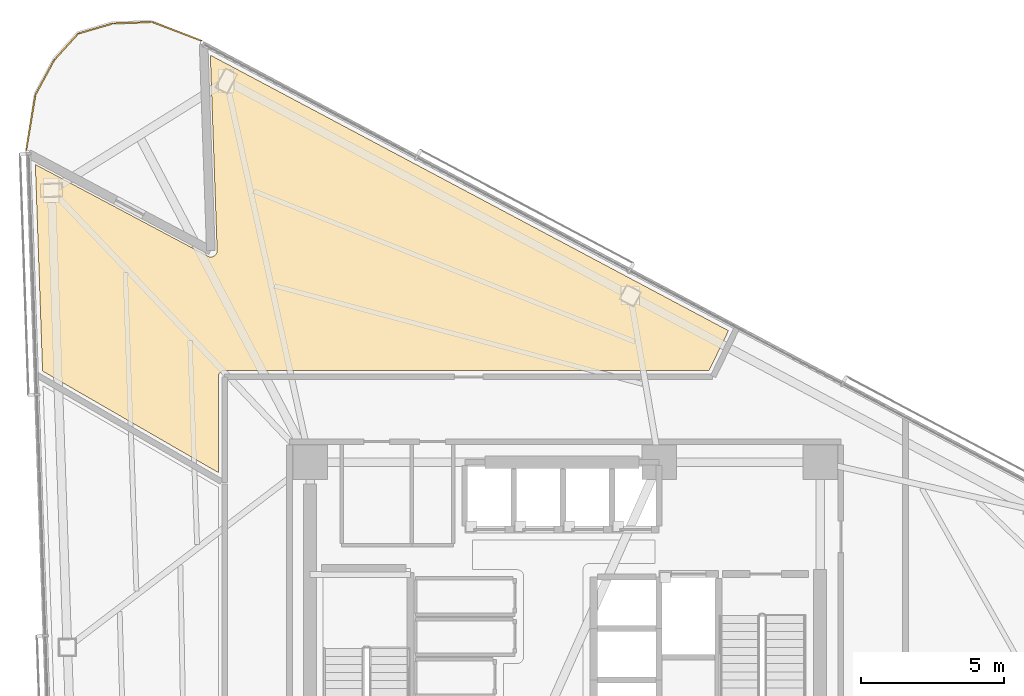
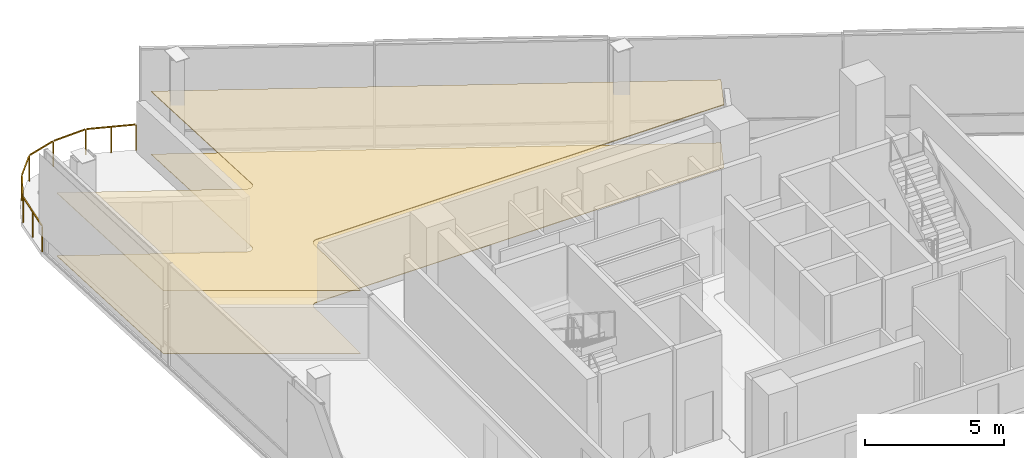
# One storey, part 19 of 19: 2 coverings, 1 railing.
"""IFC4 building model written with IfcOpenShell, lengths in metres."""

from ifc_helpers import new_model, si_unit, direction, frame, origin, origin_2d, place, context, subcontext, project, spatial, polyline, rectangle, outline, extrude, material, layer, layer_set, type_object, element, save


model = new_model("IFC4")

# Units and contexts
model_context = context("Model", 3, precision=1e-05, world=origin(), true_north=direction((0.0, 1.0)))
body_context = subcontext(model_context, "Body", "Model", "MODEL_VIEW")
ifc_project = project(units=[si_unit("LENGTHUNIT", "METRE"), si_unit("AREAUNIT", "SQUARE_METRE"), si_unit("VOLUMEUNIT", "CUBIC_METRE"), si_unit("PLANEANGLEUNIT", "RADIAN"), si_unit("MASSUNIT", "GRAM", prefix="KILO")], contexts=[model_context])

# Site, building, storey
site_placement = place(None, origin())
site = spatial("IfcSite", under=ifc_project, at=site_placement, CompositionType="ELEMENT")
building_placement = place(site_placement, origin())
building = spatial("IfcBuilding", under=site, at=building_placement, Name="Tharavind Bronze Gate", CompositionType="ELEMENT")
storey_placement = place(building_placement, frame((0.0, 0.0, 160.39990234375)))
storey = spatial("IfcBuildingStorey", under=building, at=storey_placement, Name="L41", CompositionType="ELEMENT", Elevation=160.39990234375)

# Coverings
ifc_material_1 = material(Name="Engineered Oak & Carpet Tile", Category="wood")
ifc_layer_1 = layer(ifc_material_1, 0.02490234375)
ifc_layer_set_1 = layer_set([ifc_layer_1], Name="Engineered Oak & Carpet Tile")
covering_type_1 = type_object("IfcCoveringType", Name="ENGINEERED TIMBER FLOORING", PredefinedType="FLOORING", material=ifc_layer_set_1)
covering_1_placement = place(storey_placement, origin())
element("IfcCovering", 1, at=covering_1_placement, inside=storey, type_object=covering_type_1, Name="L41-RM-01 floor finish", PredefinedType="FLOORING", context=body_context, shape_type="SweptSolid", body=[
    extrude(outline(polyline([(-18.23486328125, 10.781982421875), (-12.10009765625, 7.239990234375), (-12.10009765625, 10.579345703125), (-12.099609375, 10.590087890625), (-12.099609375, 10.5908203125), (-12.09765625, 10.6123046875), (-12.093505859375, 10.63330078125), (-12.087158203125, 10.654052734375), (-12.078857421875, 10.674072265625), (-12.068603515625, 10.693115234375), (-12.056640625, 10.7109375), (-12.04296875, 10.727783203125), (-12.027587890625, 10.742919921875), (-12.010986328125, 10.756591796875), (-11.9931640625, 10.768798828125), (-11.97412109375, 10.77880859375), (-11.9541015625, 10.787109375), (-11.933349609375, 10.79345703125), (-11.912353515625, 10.797607421875), (-11.890869140625, 10.7998046875), (-11.89013671875, 10.7998046875), (-11.87939453125, 10.800048828125), (5.022705078125, 10.800048828125), (5.70166015625, 12.192138671875), (-12.380615234375, 21.806884765625), (-12.142822265625, 14.99267578125), (-12.142578125, 14.981689453125), (-12.142578125, 14.981201171875), (-12.14404296875, 14.959228515625), (-12.147705078125, 14.9375), (-12.1533203125, 14.91650390625), (-12.1611328125, 14.89599609375), (-12.1708984375, 14.876220703125), (-12.1826171875, 14.857666015625), (-12.1962890625, 14.84033203125), (-12.21142578125, 14.82470703125), (-12.22802734375, 14.810302734375), (-12.24609375, 14.7978515625), (-12.26513671875, 14.787109375), (-12.285400390625, 14.7783203125), (-12.30615234375, 14.771728515625), (-12.32763671875, 14.76708984375), (-12.349609375, 14.7646484375), (-12.371337890625, 14.764404296875), (-12.393310546875, 14.7666015625), (-12.414794921875, 14.7705078125), (-12.435791015625, 14.77685546875), (-12.4560546875, 14.78515625), (-12.45654296875, 14.785400390625), (-12.46630859375, 14.790283203125), (-18.486572265625, 17.991455078125), (-18.23486328125, 10.781982421875)])), origin(), (0.0, 0.0, 1.0), 0.025146484375),
])
ifc_material_2 = material(Name="Acoustic Gypsum Board", Category="gypsum")
ifc_layer_2 = layer(ifc_material_2, 0.030029296875)
ifc_layer_set_2 = layer_set([ifc_layer_2], Name="Acoustic Gypsum Board")
covering_type_2 = type_object("IfcCoveringType", Name="GYPSUM SUSPENDED CEILING", PredefinedType="CEILING", material=ifc_layer_set_2)
covering_2_placement = place(storey_placement, frame((0.0, 0.0, 2.75)))
element("IfcCovering", 2, at=covering_2_placement, inside=storey, type_object=covering_type_2, Name="L41-RM-01 suspended ceiling", PredefinedType="CEILING", context=body_context, shape_type="SweptSolid", body=[
    extrude(outline(polyline([(-18.23486328125, 10.781982421875), (-12.10009765625, 7.239990234375), (-12.10009765625, 10.579345703125), (-12.099609375, 10.590087890625), (-12.099609375, 10.5908203125), (-12.09765625, 10.6123046875), (-12.093505859375, 10.63330078125), (-12.087158203125, 10.654052734375), (-12.078857421875, 10.674072265625), (-12.068603515625, 10.693115234375), (-12.056640625, 10.7109375), (-12.04296875, 10.727783203125), (-12.027587890625, 10.742919921875), (-12.010986328125, 10.756591796875), (-11.9931640625, 10.768798828125), (-11.97412109375, 10.77880859375), (-11.9541015625, 10.787109375), (-11.933349609375, 10.79345703125), (-11.912353515625, 10.797607421875), (-11.890869140625, 10.7998046875), (-11.89013671875, 10.7998046875), (-11.87939453125, 10.800048828125), (5.022705078125, 10.800048828125), (5.70166015625, 12.192138671875), (-12.380615234375, 21.806884765625), (-12.142822265625, 14.99267578125), (-12.142578125, 14.981689453125), (-12.142578125, 14.981201171875), (-12.14404296875, 14.959228515625), (-12.147705078125, 14.9375), (-12.1533203125, 14.91650390625), (-12.1611328125, 14.89599609375), (-12.1708984375, 14.876220703125), (-12.1826171875, 14.857666015625), (-12.1962890625, 14.84033203125), (-12.21142578125, 14.82470703125), (-12.22802734375, 14.810302734375), (-12.24609375, 14.7978515625), (-12.26513671875, 14.787109375), (-12.285400390625, 14.7783203125), (-12.30615234375, 14.771728515625), (-12.32763671875, 14.76708984375), (-12.349609375, 14.7646484375), (-12.371337890625, 14.764404296875), (-12.393310546875, 14.7666015625), (-12.414794921875, 14.7705078125), (-12.435791015625, 14.77685546875), (-12.4560546875, 14.78515625), (-12.45654296875, 14.785400390625), (-12.46630859375, 14.790283203125), (-18.486572265625, 17.991455078125), (-18.23486328125, 10.781982421875)])), origin(), (0.0, 0.0, 1.0), 0.03515625),
])

# Railing
ifc_material_3 = material(Name="Bronze Cap & Laminated Glass", Category="glass")
railing_type = type_object("IfcRailingType", Name="TERRACE GLASS GUARD RAILING 1150", PredefinedType="GUARDRAIL", material=ifc_material_3)
railing_placement = place(storey_placement, frame((-18.8046875, 18.500244140625, 0.0)))
element("IfcRailing", 3, at=railing_placement, inside=storey, type_object=railing_type, Name="L41 tree balcony guard railing", PredefinedType="GUARDRAIL", context=body_context, shape_type="SweptSolid", body=[
    extrude(rectangle(XDim=0.048095703125, YDim=0.048095703125, at=origin_2d()), frame((0.00537109375, 0.031494140625, 1.1259765625), z_axis=(0.164195729353, 0.986427778635, 0.0), x_axis=(-0.986427778635, 0.164195729353, 0.0)), (0.0, 0.0, 1.0), 1.8837890625),
    extrude(rectangle(XDim=0.048095703125, YDim=0.048095703125, at=origin_2d()), frame((0.3349609375, 1.949462890625, 1.1259765625), z_axis=(0.475354278584, 0.879794470221, 0.0), x_axis=(-0.879794470221, 0.475354278584, 0.0)), (0.0, 0.0, 1.0), 1.316650390625),
    extrude(rectangle(XDim=0.048095703125, YDim=0.048095703125, at=origin_2d()), frame((0.99755859375, 3.15966796875, 1.1259765625), z_axis=(0.672721531805, 0.739895763365, 0.0), x_axis=(-0.739895763365, 0.672721531805, 0.0)), (0.0, 0.0, 1.0), 1.1826171875),
    extrude(rectangle(XDim=0.048095703125, YDim=0.048095703125, at=origin_2d()), frame((1.845458984375, 4.0673828125, 1.1259765625), z_axis=(0.959866084935, 0.280458729571, 0.0), x_axis=(-0.280458729571, 0.959866084935, 0.0)), (0.0, 0.0, 1.0), 1.1826171875),
    extrude(rectangle(XDim=0.048095703125, YDim=0.048095703125, at=origin_2d()), frame((3.043212890625, 4.4091796875, 1.1259765625), z_axis=(0.999143462148, 0.041380454892, 0.0), x_axis=(-0.041380454892, 0.999143462148, 0.0)), (0.0, 0.0, 1.0), 1.316650390625),
    extrude(rectangle(XDim=0.048095703125, YDim=0.048095703125, at=origin_2d()), frame((4.420654296875, 4.453857421875, 1.1259765625), z_axis=(0.935175477512, -0.354184734651, 0.0), x_axis=(0.354184734651, 0.935175477512, 0.0)), (0.0, 0.0, 1.0), 1.770263671875),
    extrude(rectangle(XDim=0.0400390625, YDim=0.0400390625, at=origin_2d()), origin(), (0.0, 0.0, 1.0), 1.097900390625),
    extrude(rectangle(XDim=0.0400390625, YDim=0.0400390625, at=origin_2d()), frame((0.159912109375, 0.960693359375, 0.0)), (0.0, 0.0, 1.0), 1.097900390625),
    extrude(rectangle(XDim=0.0400390625, YDim=0.0400390625, at=origin_2d()), frame((0.31982421875, 1.92138671875, 0.0)), (0.0, 0.0, 1.0), 1.097900390625),
    extrude(rectangle(XDim=0.0400390625, YDim=0.0400390625, at=origin_2d()), frame((0.97607421875, 3.135986328125, 0.0)), (0.0, 0.0, 1.0), 1.097900390625),
    extrude(rectangle(XDim=0.0400390625, YDim=0.0400390625, at=origin_2d()), frame((1.814697265625, 4.058349609375, 0.0)), (0.0, 0.0, 1.0), 1.097900390625),
    extrude(rectangle(XDim=0.0400390625, YDim=0.0400390625, at=origin_2d()), frame((3.01123046875, 4.407958984375, 0.0)), (0.0, 0.0, 1.0), 1.097900390625),
    extrude(rectangle(XDim=0.0400390625, YDim=0.0400390625, at=origin_2d()), frame((4.390625, 4.465087890625, 0.0)), (0.0, 0.0, 1.0), 1.097900390625),
    extrude(rectangle(XDim=0.0400390625, YDim=0.0400390625, at=origin_2d()), frame((5.248291015625, 4.14013671875, 0.0)), (0.0, 0.0, 1.0), 1.097900390625),
    extrude(rectangle(XDim=0.0400390625, YDim=0.0400390625, at=origin_2d()), frame((6.10595703125, 3.8154296875, 0.0)), (0.0, 0.0, 1.0), 1.097900390625),
])

save(model, "model.ifc")
